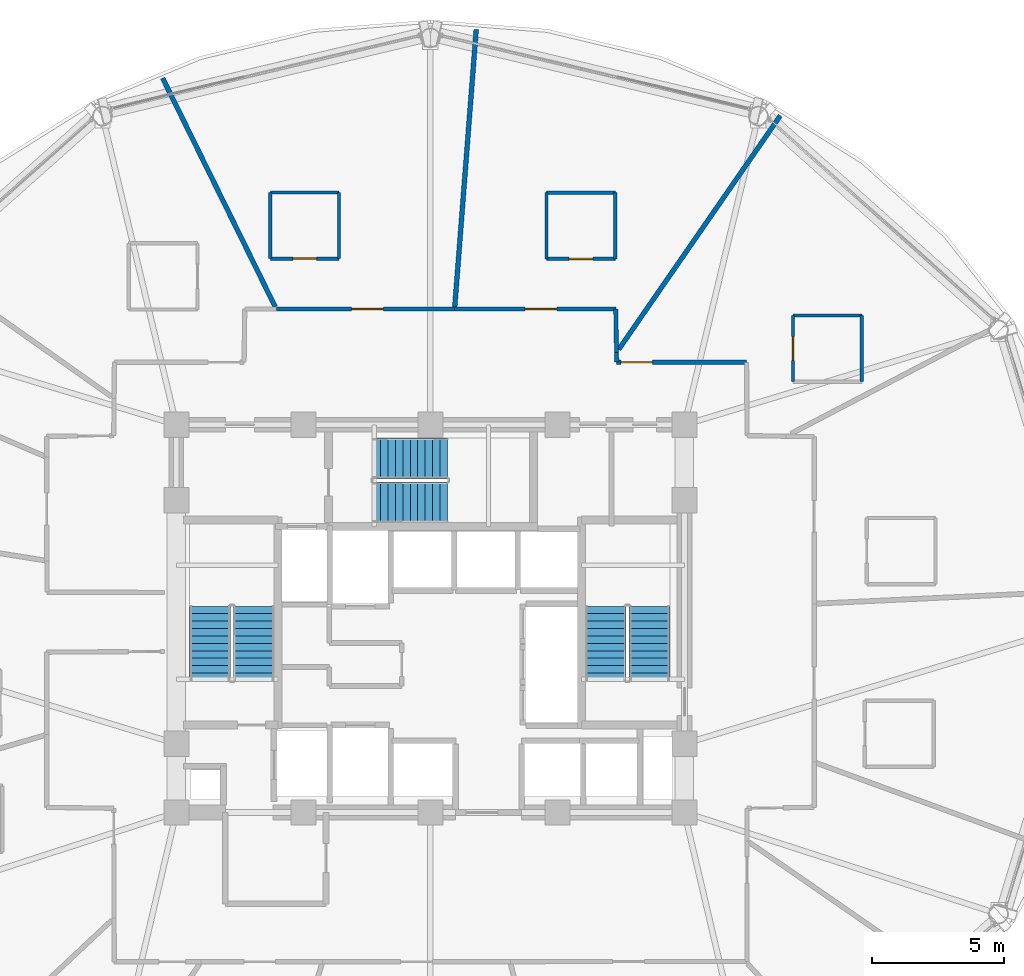
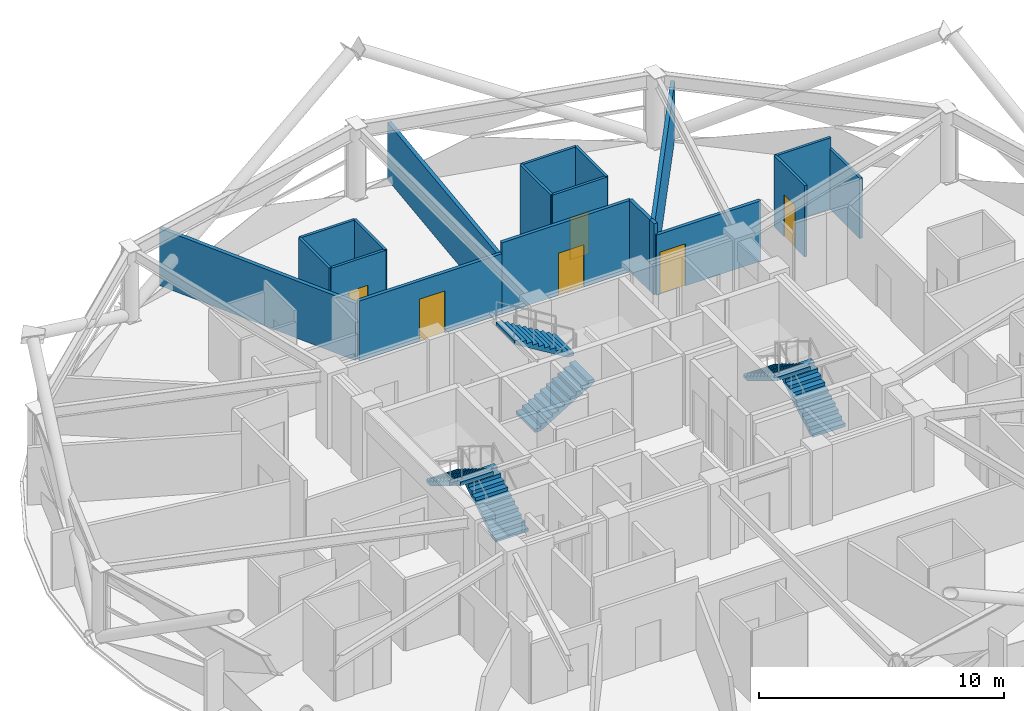
# One storey, part 25 of 29: 19 walls, 6 doors, 6 stair flights, 6 openings, 3 elements without a shape of their own.
"""IFC4 building model written with IfcOpenShell, lengths in metres."""

from ifc_helpers import new_model, si_unit, direction, frame, frame_2d, origin, place, context, subcontext, project, spatial, polyline, rectangle, outline, extrude, material, layer, layer_set, type_object, element, fill, aggregate, save


model = new_model("IFC4")

# Units and contexts
model_context = context("Model", 3, precision=1e-05, world=origin(), true_north=direction((0.0, 1.0)))
body_context = subcontext(model_context, "Body", "Model", "MODEL_VIEW")
ifc_project = project(units=[si_unit("LENGTHUNIT", "METRE"), si_unit("AREAUNIT", "SQUARE_METRE"), si_unit("VOLUMEUNIT", "CUBIC_METRE"), si_unit("PLANEANGLEUNIT", "RADIAN"), si_unit("MASSUNIT", "GRAM", prefix="KILO")], contexts=[model_context])

# Site, building, storey
site_placement = place(None, origin())
site = spatial("IfcSite", under=ifc_project, at=site_placement, CompositionType="ELEMENT")
building_placement = place(site_placement, origin())
building = spatial("IfcBuilding", under=site, at=building_placement, Name="Vantalir Tower", CompositionType="ELEMENT")
storey_placement = place(building_placement, frame((0.0, 0.0, 149.699951171875)))
storey = spatial("IfcBuildingStorey", under=building, at=storey_placement, Name="L37", CompositionType="ELEMENT", Elevation=149.699951171875)

# Wall
ifc_material_1 = material(Name="Moisture-resistant en-suite partition", Category="gypsum")
ifc_layer_1 = layer(ifc_material_1, 0.125)
ifc_layer_set_1 = layer_set([ifc_layer_1], Name="Moisture-resistant en-suite partition")
wall_type_1 = type_object("IfcWallType", Name="WL-BATH-125", PredefinedType="PARTITIONING", material=ifc_layer_set_1)
wall_1_placement = place(storey_placement, frame((45.198974609375, 36.580078125, 0.0), z_axis=(0.0, 0.0, 1.0), x_axis=(1.0, 0.0, 0.0)))
element("IfcWall", 1, at=wall_1_placement, inside=storey, type_object=wall_type_1, Name="L37 En-suite 02 North Wall", PredefinedType="PARTITIONING", context=body_context, shape_type="SweptSolid", body=[
    extrude(rectangle(XDim=2.60009765625, YDim=0.125, at=frame_2d((1.300048828125, 0.0))), origin(), (0.0, 0.0, 1.0), 3.550048828125),
])

# Wall, opening, door
wall_2_placement = place(storey_placement, frame((45.198974609375, 34.080078125, 0.0), z_axis=(0.0, 0.0, 1.0), x_axis=(0.0, 1.0, 0.0)))
wall_2 = element("IfcWall", 2, at=wall_2_placement, inside=storey, type_object=wall_type_1, Name="L37 En-suite 02 West Wall", PredefinedType="PARTITIONING", context=body_context, shape_type="SweptSolid", body=[
    extrude(rectangle(XDim=2.5, YDim=0.125, at=frame_2d((1.25, 0.0))), origin(), (0.0, 0.0, 1.0), 3.550048828125),
])
opening_1_placement = place(wall_2_placement, frame((0.800048828125, 0.0, 0.0)))
opening_1 = element("IfcOpeningElement", 3, at=opening_1_placement, cuts=wall_2, Name="Opening D-WC", PredefinedType="OPENING", context=body_context, shape_type="SweptSolid", body=[
    extrude(rectangle(XDim=0.89990234375, YDim=2.10009765625, at=frame_2d((0.449951171875, 1.050048828125))), frame((0.0, 0.072509765625, 0.0), z_axis=(0.0, -1.0, 0.0), x_axis=(1.0, 0.0, 0.0)), (0.0, 0.0, 1.0), 0.14501953125),
])
ifc_material_2 = material(Name="Moisture-resistant hardwood door", Category="wood")
door_type_1 = type_object("IfcDoorType", Name="DR-ENSUITE-900", OperationType="NOTDEFINED", PredefinedType="DOOR", material=ifc_material_2)
door_1_placement = place(opening_1_placement, frame((0.89990234375, 0.0, 0.0), z_axis=(0.0, 0.0, 1.0), x_axis=(-1.0, 0.0, 0.0)))
door_1 = element("IfcDoor", 4, at=door_1_placement, inside=storey, type_object=door_type_1, Name="L37 En-suite 02 Door", OperationType="SINGLE_SWING_RIGHT", OverallHeight=2.10009765625, OverallWidth=0.89990234375, PredefinedType="DOOR", context=body_context, shape_type="SweptSolid", body=[
    extrude(rectangle(XDim=0.89990234375, YDim=2.10009765625, at=frame_2d((0.449951171875, 1.050048828125))), frame((0.0, 0.02490234375, 0.0), z_axis=(0.0, -1.0, 0.0), x_axis=(1.0, 0.0, 0.0)), (0.0, 0.0, 1.0), 0.050048828125),
])
fill(opening_1, door_1)

# Wall
wall_3_placement = place(storey_placement, frame((47.799072265625, 34.080078125, 0.0), z_axis=(0.0, 0.0, 1.0), x_axis=(0.0, 1.0, 0.0)))
element("IfcWall", 5, at=wall_3_placement, inside=storey, type_object=wall_type_1, Name="L37 En-suite 02 East Wall", PredefinedType="PARTITIONING", context=body_context, shape_type="SweptSolid", body=[
    extrude(rectangle(XDim=2.5, YDim=0.125, at=frame_2d((1.25, 0.0))), origin(), (0.0, 0.0, 1.0), 3.006103515625),
])

# Wall, opening, door
wall_4_placement = place(storey_placement, frame((35.888916015625, 38.718994140625, 0.0), z_axis=(0.0, 0.0, 1.0), x_axis=(1.0, 0.0, 0.0)))
wall_4 = element("IfcWall", 6, at=wall_4_placement, inside=storey, type_object=wall_type_1, Name="L37 En-suite 03 South Wall", PredefinedType="PARTITIONING", context=body_context, shape_type="SweptSolid", body=[
    extrude(rectangle(XDim=2.60009765625, YDim=0.125, at=frame_2d((1.300048828125, 0.0))), origin(), (0.0, 0.0, 1.0), 3.550048828125),
])
opening_2_placement = place(wall_4_placement, frame((0.85009765625, 0.0, 0.0)))
opening_2 = element("IfcOpeningElement", 7, at=opening_2_placement, cuts=wall_4, Name="Opening D-WC", PredefinedType="OPENING", context=body_context, shape_type="SweptSolid", body=[
    extrude(rectangle(XDim=0.89990234375, YDim=2.10009765625, at=frame_2d((0.449951171875, 1.050048828125))), frame((0.0, 0.072509765625, 0.0), z_axis=(0.0, -1.0, 0.0), x_axis=(1.0, 0.0, 0.0)), (0.0, 0.0, 1.0), 0.14501953125),
])
door_2_placement = place(opening_2_placement, origin())
door_2 = element("IfcDoor", 8, at=door_2_placement, inside=storey, type_object=door_type_1, Name="L37 En-suite 03 Door", OperationType="SINGLE_SWING_LEFT", OverallHeight=2.10009765625, OverallWidth=0.89990234375, PredefinedType="DOOR", context=body_context, shape_type="SweptSolid", body=[
    extrude(rectangle(XDim=0.89990234375, YDim=2.10009765625, at=frame_2d((0.449951171875, 1.050048828125))), frame((0.0, 0.02490234375, 0.0), z_axis=(0.0, -1.0, 0.0), x_axis=(1.0, 0.0, 0.0)), (0.0, 0.0, 1.0), 0.050048828125),
])
fill(opening_2, door_2)

# Walls
wall_5_placement = place(storey_placement, frame((35.888916015625, 41.218994140625, 0.0), z_axis=(0.0, 0.0, 1.0), x_axis=(1.0, 0.0, 0.0)))
element("IfcWall", 9, at=wall_5_placement, inside=storey, type_object=wall_type_1, Name="L37 En-suite 03 North Wall", PredefinedType="PARTITIONING", context=body_context, shape_type="SweptSolid", body=[
    extrude(rectangle(XDim=2.60009765625, YDim=0.125, at=frame_2d((1.300048828125, 0.0))), origin(), (0.0, 0.0, 1.0), 3.550048828125),
])
for number, where, z_axis, x_axis, name in (
    (10, (35.888916015625, 38.718994140625, 0.0), (0.0, 0.0, 1.0), (0.0, 1.0, 0.0), "L37 En-suite 03 West Wall"),
    (11, (38.489013671875, 38.718994140625, 0.0), (0.0, 0.0, 1.0), (0.0, 1.0, 0.0), "L37 En-suite 03 East Wall"),
):
    element("IfcWall", number, at=place(storey_placement, frame(where, z_axis=z_axis, x_axis=x_axis)), inside=storey, type_object=wall_type_1, Name=name, PredefinedType="PARTITIONING", context=body_context, shape_type="SweptSolid", body=[
        extrude(rectangle(XDim=2.5, YDim=0.125, at=frame_2d((1.25, 0.0))), origin(), (0.0, 0.0, 1.0), 3.550048828125),
    ])

# Wall, opening, door
wall_6_placement = place(storey_placement, frame((25.448974609375, 38.72705078125, 0.0), z_axis=(0.0, 0.0, 1.0), x_axis=(1.0, 0.0, 0.0)))
wall_6 = element("IfcWall", 12, at=wall_6_placement, inside=storey, type_object=wall_type_1, Name="L37 En-suite 04 South Wall", PredefinedType="PARTITIONING", context=body_context, shape_type="SweptSolid", body=[
    extrude(rectangle(XDim=2.60009765625, YDim=0.125, at=frame_2d((1.300048828125, 0.0))), origin(), (0.0, 0.0, 1.0), 3.550048828125),
])
opening_3_placement = place(wall_6_placement, frame((0.85009765625, 0.0, 0.0)))
opening_3 = element("IfcOpeningElement", 13, at=opening_3_placement, cuts=wall_6, Name="Opening D-WC", PredefinedType="OPENING", context=body_context, shape_type="SweptSolid", body=[
    extrude(rectangle(XDim=0.89990234375, YDim=2.10009765625, at=frame_2d((0.449951171875, 1.050048828125))), frame((0.0, 0.072509765625, 0.0), z_axis=(0.0, -1.0, 0.0), x_axis=(1.0, 0.0, 0.0)), (0.0, 0.0, 1.0), 0.14501953125),
])
door_3_placement = place(opening_3_placement, origin())
door_3 = element("IfcDoor", 14, at=door_3_placement, inside=storey, type_object=door_type_1, Name="L37 En-suite 04 Door", OperationType="SINGLE_SWING_RIGHT", OverallHeight=2.10009765625, OverallWidth=0.89990234375, PredefinedType="DOOR", context=body_context, shape_type="SweptSolid", body=[
    extrude(rectangle(XDim=0.89990234375, YDim=2.10009765625, at=frame_2d((0.449951171875, 1.050048828125))), frame((0.0, 0.02490234375, 0.0), z_axis=(0.0, -1.0, 0.0), x_axis=(1.0, 0.0, 0.0)), (0.0, 0.0, 1.0), 0.050048828125),
])
fill(opening_3, door_3)

# Walls
wall_7_placement = place(storey_placement, frame((25.448974609375, 41.22705078125, 0.0), z_axis=(0.0, 0.0, 1.0), x_axis=(1.0, 0.0, 0.0)))
element("IfcWall", 15, at=wall_7_placement, inside=storey, type_object=wall_type_1, Name="L37 En-suite 04 North Wall", PredefinedType="PARTITIONING", context=body_context, shape_type="SweptSolid", body=[
    extrude(rectangle(XDim=2.60009765625, YDim=0.125, at=frame_2d((1.300048828125, 0.0))), origin(), (0.0, 0.0, 1.0), 3.550048828125),
])
for number, where, z_axis, x_axis, name in (
    (16, (25.448974609375, 38.72705078125, 0.0), (0.0, 0.0, 1.0), (0.0, 1.0, 0.0), "L37 En-suite 04 West Wall"),
    (17, (28.049072265625, 38.72705078125, 0.0), (0.0, 0.0, 1.0), (0.0, 1.0, 0.0), "L37 En-suite 04 East Wall"),
):
    element("IfcWall", number, at=place(storey_placement, frame(where, z_axis=z_axis, x_axis=x_axis)), inside=storey, type_object=wall_type_1, Name=name, PredefinedType="PARTITIONING", context=body_context, shape_type="SweptSolid", body=[
        extrude(rectangle(XDim=2.5, YDim=0.125, at=frame_2d((1.25, 0.0))), origin(), (0.0, 0.0, 1.0), 3.550048828125),
    ])

# Wall, opening, door
ifc_material_3 = material(Name="Fire-rated hotel corridor acoustic partition", Category="gypsum")
ifc_layer_2 = layer(ifc_material_3, 0.159912109375)
ifc_layer_set_2 = layer_set([ifc_layer_2], Name="Fire-rated hotel corridor acoustic partition")
wall_type_2 = type_object("IfcWallType", Name="WL-CORR-160", PredefinedType="PARTITIONING", material=ifc_layer_set_2)
wall_8_placement = place(storey_placement, frame((25.677978515625, 36.824951171875, 0.0), z_axis=(0.0, 0.0, 1.0), x_axis=(0.999999989491, 0.000144974809, 0.0)))
wall_8 = element("IfcWall", 18, at=wall_8_placement, inside=storey, type_object=wall_type_2, Name="L37 Corridor Partition 11", PredefinedType="PARTITIONING", context=body_context, shape_type="SweptSolid", body=[
    extrude(rectangle(XDim=6.736083984375, YDim=0.159912109375, at=frame_2d((3.3681640625, 0.0))), origin(), (0.0, 0.0, 1.0), 3.006103515625),
])
opening_4_placement = place(wall_8_placement, frame((2.843017578125, 0.0, 0.0)))
opening_4 = element("IfcOpeningElement", 19, at=opening_4_placement, cuts=wall_8, Name="Opening D-STE", PredefinedType="OPENING", context=body_context, shape_type="SweptSolid", body=[
    extrude(rectangle(XDim=1.199951171875, YDim=2.10009765625, at=frame_2d((0.60009765625, 1.050048828125))), frame((0.0, 0.08984375, 0.0), z_axis=(0.0, -1.0, 0.0), x_axis=(1.0, 0.0, 0.0)), (0.0, 0.0, 1.0), 0.179931640625),
])
ifc_material_4 = material(Name="Solid-core teak veneer suite entrance door", Category="wood")
door_type_2 = type_object("IfcDoorType", Name="DR-SUITE-ENTRY-1200", OperationType="NOTDEFINED", PredefinedType="DOOR", material=ifc_material_4)
door_4_placement = place(opening_4_placement, origin())
door_4 = element("IfcDoor", 20, at=door_4_placement, inside=storey, type_object=door_type_2, Name="L37 Executive Club Hotel Suite 04 Door", OperationType="SINGLE_SWING_LEFT", OverallHeight=2.10009765625, OverallWidth=1.199951171875, PredefinedType="DOOR", context=body_context, shape_type="SweptSolid", body=[
    extrude(rectangle(XDim=1.199951171875, YDim=2.10009765625, at=frame_2d((0.60009765625, 1.050048828125))), frame((0.0, 0.02490234375, 0.0), z_axis=(0.0, -1.0, 0.0), x_axis=(1.0, 0.0, 0.0)), (0.0, 0.0, 1.0), 0.050048828125),
])
fill(opening_4, door_4)

wall_9_placement = place(storey_placement, frame((32.4140625, 36.825927734375, 0.0), z_axis=(0.0, 0.0, 1.0), x_axis=(0.999999987142, 0.000160359203, 0.0)))
wall_9 = element("IfcWall", 21, at=wall_9_placement, inside=storey, type_object=wall_type_2, Name="L37 Corridor Partition 12", PredefinedType="PARTITIONING", context=body_context, shape_type="SweptSolid", body=[
    extrude(rectangle(XDim=6.08984375, YDim=0.159912109375, at=frame_2d((3.044921875, 0.0))), origin(), (0.0, 0.0, 1.0), 3.550048828125),
])
opening_5_placement = place(wall_9_placement, frame((2.666015625, 0.0, 0.0)))
opening_5 = element("IfcOpeningElement", 22, at=opening_5_placement, cuts=wall_9, Name="Opening D-STE", PredefinedType="OPENING", context=body_context, shape_type="SweptSolid", body=[
    extrude(rectangle(XDim=1.199951171875, YDim=2.10009765625, at=frame_2d((0.60009765625, 1.050048828125))), frame((0.0, 0.08984375, 0.0), z_axis=(0.0, -1.0, 0.0), x_axis=(1.0, 0.0, 0.0)), (0.0, 0.0, 1.0), 0.179931640625),
])
door_5_placement = place(opening_5_placement, origin())
door_5 = element("IfcDoor", 23, at=door_5_placement, inside=storey, type_object=door_type_2, Name="L37 Corner Panorama Hotel Suite 03 Door", OperationType="SINGLE_SWING_RIGHT", OverallHeight=2.10009765625, OverallWidth=1.199951171875, PredefinedType="DOOR", context=body_context, shape_type="SweptSolid", body=[
    extrude(rectangle(XDim=1.199951171875, YDim=2.10009765625, at=frame_2d((0.60009765625, 1.050048828125))), frame((0.0, 0.02490234375, 0.0), z_axis=(0.0, -1.0, 0.0), x_axis=(1.0, 0.0, 0.0)), (0.0, 0.0, 1.0), 0.050048828125),
])
fill(opening_5, door_5)

# Walls
wall_10_placement = place(storey_placement, frame((38.50390625, 36.826904296875, 0.0), z_axis=(0.0, 0.0, 1.0), x_axis=(0.017616454452, -0.999844818226, 0.0)))
element("IfcWall", 24, at=wall_10_placement, inside=storey, type_object=wall_type_2, Name="L37 Corridor Partition 13", PredefinedType="PARTITIONING", context=body_context, shape_type="SweptSolid", body=[
    extrude(rectangle(XDim=1.649169921875, YDim=0.159912109375, at=frame_2d((0.82470703125, 0.0))), origin(), (0.0, 0.0, 1.0), 3.550048828125),
])
wall_11_placement = place(storey_placement, frame((38.532958984375, 35.177978515625, 0.0), z_axis=(0.0, 0.0, 1.0), x_axis=(0.01949864601, -0.99980988333, 0.0)))
element("IfcWall", 25, at=wall_11_placement, inside=storey, type_object=wall_type_2, Name="L37 Corridor Partition 14", PredefinedType="PARTITIONING", context=body_context, shape_type="SweptSolid", body=[
    extrude(rectangle(XDim=0.363037109375, YDim=0.159912109375, at=frame_2d((0.181640625, 0.0))), origin(), (0.0, 0.0, 1.0), 3.550048828125),
])

# Wall, opening, door
wall_12_placement = place(storey_placement, frame((38.5400390625, 34.81494140625, 0.0), z_axis=(0.0, 0.0, 1.0), x_axis=(0.999999029632, -0.001393102783, 0.0)))
wall_12 = element("IfcWall", 26, at=wall_12_placement, inside=storey, type_object=wall_type_2, Name="L37 Corridor Partition 15", PredefinedType="PARTITIONING", context=body_context, shape_type="SweptSolid", body=[
    extrude(rectangle(XDim=4.906982421875, YDim=0.159912109375, at=frame_2d((2.45361328125, 0.0))), origin(), (0.0, 0.0, 1.0), 3.006103515625),
])
opening_6_placement = place(wall_12_placement, frame((0.159912109375, 0.0, 0.0)))
opening_6 = element("IfcOpeningElement", 27, at=opening_6_placement, cuts=wall_12, Name="Opening D-STE", PredefinedType="OPENING", context=body_context, shape_type="SweptSolid", body=[
    extrude(rectangle(XDim=1.199951171875, YDim=2.10009765625, at=frame_2d((0.60009765625, 1.050048828125))), frame((0.0, 0.08984375, 0.0), z_axis=(0.0, -1.0, 0.0), x_axis=(1.0, 0.0, 0.0)), (0.0, 0.0, 1.0), 0.179931640625),
])
door_6_placement = place(opening_6_placement, origin())
door_6 = element("IfcDoor", 28, at=door_6_placement, inside=storey, type_object=door_type_2, Name="L37 Executive Club Hotel Suite 02 Door", OperationType="SINGLE_SWING_LEFT", OverallHeight=2.10009765625, OverallWidth=1.199951171875, PredefinedType="DOOR", context=body_context, shape_type="SweptSolid", body=[
    extrude(rectangle(XDim=1.199951171875, YDim=2.10009765625, at=frame_2d((0.60009765625, 1.050048828125))), frame((0.0, 0.02490234375, 0.0), z_axis=(0.0, -1.0, 0.0), x_axis=(1.0, 0.0, 0.0)), (0.0, 0.0, 1.0), 0.050048828125),
])
fill(opening_6, door_6)

# Walls
ifc_material_5 = material(Name="Twin-stud acoustic fire-rated gypsum partition", Category="gypsum")
ifc_layer_3 = layer(ifc_material_5, 0.179931640625)
ifc_layer_set_3 = layer_set([ifc_layer_3], Name="Twin-stud acoustic fire-rated gypsum partition")
wall_type_3 = type_object("IfcWallType", Name="WL-GUEST-180", PredefinedType="PARTITIONING", material=ifc_layer_set_3)
wall_13_placement = place(storey_placement, frame((38.614990234375, 35.2958984375, 0.0), z_axis=(0.0, 0.0, 1.0), x_axis=(0.568530950042, 0.822661873946, 0.0)))
element("IfcWall", 29, at=wall_13_placement, inside=storey, type_object=wall_type_3, Name="L37 Radial Suite Partition 03", PredefinedType="PARTITIONING", context=body_context, shape_type="SweptSolid", body=[
    extrude(rectangle(XDim=10.734619140625, YDim=0.179931640625, at=frame_2d((5.3671875, 0.0))), origin(), (0.0, 0.0, 1.0), 2.85205078125),
])
wall_14_placement = place(storey_placement, frame((32.419921875, 36.902099609375, 0.0), z_axis=(0.0, 0.0, 1.0), x_axis=(0.077151140833, 0.997019408772, 0.0)))
element("IfcWall", 30, at=wall_14_placement, inside=storey, type_object=wall_type_3, Name="L37 Radial Suite Partition 04", PredefinedType="PARTITIONING", context=body_context, shape_type="SweptSolid", body=[
    extrude(rectangle(XDim=10.51220703125, YDim=0.179931640625, at=frame_2d((5.256103515625, 0.0))), origin(), (0.0, 0.0, 1.0), 2.85205078125),
])
wall_15_placement = place(storey_placement, frame((25.638916015625, 36.902099609375, 0.0), z_axis=(0.0, 0.0, 1.0), x_axis=(-0.44167900267, 0.897173148617, 0.0)))
element("IfcWall", 31, at=wall_15_placement, inside=storey, type_object=wall_type_3, Name="L37 Radial Suite Partition 05", PredefinedType="PARTITIONING", context=body_context, shape_type="SweptSolid", body=[
    extrude(rectangle(XDim=9.631103515625, YDim=0.179931640625, at=frame_2d((4.8154296875, 0.0))), origin(), (0.0, 0.0, 1.0), 2.85205078125),
])

# Stair, stair flights
ifc_material_6 = material(Name="Concrete C40/50", Category="concrete")
stair_type = type_object("IfcStairType", Name="STR-CORE-1450", PredefinedType="HALF_TURN_STAIR", material=ifc_material_6)
stair_1_placement = place(storey_placement, origin())
stair_1 = element("IfcStair", 32, at=stair_1_placement, inside=storey, type_object=stair_type, Name="L37 Core Exit Stair 1", PredefinedType="HALF_TURN_STAIR")
stair_flight_type = type_object("IfcStairFlightType", Name="FLT-CORE-1450", PredefinedType="STRAIGHT", material=ifc_material_6)
stair_flight_1_placement = place(storey_placement, frame((24.830078125, 22.7900390625, 0.0), z_axis=(0.0, 0.0, 1.0), x_axis=(0.0, 1.0, 0.0)))
stair_flight_1 = element("IfcStairFlight", 33, at=stair_flight_1_placement, type_object=stair_flight_type, Name="ST1 flight 1", NumberOfRisers=11, NumberOfTreads=10, PredefinedType="STRAIGHT", RiserHeight=0.170454545, TreadLength=0.28, context=body_context, shape_type="SweptSolid", body=[
    extrude(outline(polyline([(0.0, 0.0), (0.0, 0.17041015625), (0.280029296875, 0.17041015625), (0.280029296875, 0.3408203125), (0.56005859375, 0.3408203125), (0.56005859375, 0.511474609375), (0.840087890625, 0.511474609375), (0.840087890625, 0.681884765625), (1.1201171875, 0.681884765625), (1.1201171875, 0.852294921875), (1.39990234375, 0.852294921875), (1.39990234375, 1.022705078125), (1.679931640625, 1.022705078125), (1.679931640625, 1.193115234375), (1.9599609375, 1.193115234375), (1.9599609375, 1.363525390625), (2.239990234375, 1.363525390625), (2.239990234375, 1.5341796875), (2.52001953125, 1.5341796875), (2.52001953125, 1.70458984375), (2.800048828125, 1.70458984375), (2.800048828125, 1.875), (2.800048828125, 1.529052734375), (0.288330078125, 0.0), (0.0, 0.0)])), frame((0.0, 0.77001953125, 0.0), z_axis=(0.0, -1.0, 0.0), x_axis=(1.0, 0.0, 0.0)), (0.0, 0.0, 1.0), 1.5400390625),
])
stair_flight_2_placement = place(storey_placement, frame((23.169921875, 25.590087890625, 1.875), z_axis=(0.0, 0.0, 1.0), x_axis=(0.0, -1.0, 0.0)))
stair_flight_2 = element("IfcStairFlight", 34, at=stair_flight_2_placement, type_object=stair_flight_type, Name="ST1 flight 2", NumberOfRisers=11, NumberOfTreads=10, PredefinedType="STRAIGHT", RiserHeight=0.170454545, TreadLength=0.28, context=body_context, shape_type="SweptSolid", body=[
    extrude(outline(polyline([(0.0, 0.0), (0.0, 0.17041015625), (0.280029296875, 0.17041015625), (0.280029296875, 0.3408203125), (0.56005859375, 0.3408203125), (0.56005859375, 0.511474609375), (0.840087890625, 0.511474609375), (0.840087890625, 0.681884765625), (1.1201171875, 0.681884765625), (1.1201171875, 0.852294921875), (1.39990234375, 0.852294921875), (1.39990234375, 1.022705078125), (1.679931640625, 1.022705078125), (1.679931640625, 1.193115234375), (1.9599609375, 1.193115234375), (1.9599609375, 1.363525390625), (2.239990234375, 1.363525390625), (2.239990234375, 1.5341796875), (2.52001953125, 1.5341796875), (2.52001953125, 1.70458984375), (2.800048828125, 1.70458984375), (2.800048828125, 1.875), (2.800048828125, 1.529052734375), (0.288330078125, 0.0), (0.0, 0.0)])), frame((0.0, 0.77001953125, 0.0), z_axis=(0.0, -1.0, 0.0), x_axis=(1.0, 0.0, 0.0)), (0.0, 0.0, 1.0), 1.5400390625),
])
aggregate(stair_1, [stair_flight_1, stair_flight_2])

stair_2_placement = place(storey_placement, origin())
stair_2 = element("IfcStair", 35, at=stair_2_placement, inside=storey, type_object=stair_type, Name="L37 Core Exit Stair 2", PredefinedType="HALF_TURN_STAIR")
stair_flight_3_placement = place(storey_placement, frame((39.780029296875, 22.7900390625, 0.0), z_axis=(0.0, 0.0, 1.0), x_axis=(0.0, 1.0, 0.0)))
stair_flight_3 = element("IfcStairFlight", 36, at=stair_flight_3_placement, type_object=stair_flight_type, Name="ST2 flight 1", NumberOfRisers=11, NumberOfTreads=10, PredefinedType="STRAIGHT", RiserHeight=0.170454545, TreadLength=0.28, context=body_context, shape_type="SweptSolid", body=[
    extrude(outline(polyline([(0.0, 0.0), (0.0, 0.17041015625), (0.280029296875, 0.17041015625), (0.280029296875, 0.3408203125), (0.56005859375, 0.3408203125), (0.56005859375, 0.511474609375), (0.840087890625, 0.511474609375), (0.840087890625, 0.681884765625), (1.1201171875, 0.681884765625), (1.1201171875, 0.852294921875), (1.39990234375, 0.852294921875), (1.39990234375, 1.022705078125), (1.679931640625, 1.022705078125), (1.679931640625, 1.193115234375), (1.9599609375, 1.193115234375), (1.9599609375, 1.363525390625), (2.239990234375, 1.363525390625), (2.239990234375, 1.5341796875), (2.52001953125, 1.5341796875), (2.52001953125, 1.70458984375), (2.800048828125, 1.70458984375), (2.800048828125, 1.875), (2.800048828125, 1.529052734375), (0.288330078125, 0.0), (0.0, 0.0)])), frame((0.0, 0.77001953125, 0.0), z_axis=(0.0, -1.0, 0.0), x_axis=(1.0, 0.0, 0.0)), (0.0, 0.0, 1.0), 1.5400390625),
])
stair_flight_4_placement = place(storey_placement, frame((38.1201171875, 25.590087890625, 1.875), z_axis=(0.0, 0.0, 1.0), x_axis=(0.0, -1.0, 0.0)))
stair_flight_4 = element("IfcStairFlight", 37, at=stair_flight_4_placement, type_object=stair_flight_type, Name="ST2 flight 2", NumberOfRisers=11, NumberOfTreads=10, PredefinedType="STRAIGHT", RiserHeight=0.170454545, TreadLength=0.28, context=body_context, shape_type="SweptSolid", body=[
    extrude(outline(polyline([(0.0, 0.0), (0.0, 0.17041015625), (0.280029296875, 0.17041015625), (0.280029296875, 0.3408203125), (0.56005859375, 0.3408203125), (0.56005859375, 0.511474609375), (0.840087890625, 0.511474609375), (0.840087890625, 0.681884765625), (1.1201171875, 0.681884765625), (1.1201171875, 0.852294921875), (1.39990234375, 0.852294921875), (1.39990234375, 1.022705078125), (1.679931640625, 1.022705078125), (1.679931640625, 1.193115234375), (1.9599609375, 1.193115234375), (1.9599609375, 1.363525390625), (2.239990234375, 1.363525390625), (2.239990234375, 1.5341796875), (2.52001953125, 1.5341796875), (2.52001953125, 1.70458984375), (2.800048828125, 1.70458984375), (2.800048828125, 1.875), (2.800048828125, 1.529052734375), (0.288330078125, 0.0), (0.0, 0.0)])), frame((0.0, 0.77001953125, 0.0), z_axis=(0.0, -1.0, 0.0), x_axis=(1.0, 0.0, 0.0)), (0.0, 0.0, 1.0), 1.5400390625),
])
aggregate(stair_2, [stair_flight_3, stair_flight_4])

stair_3_placement = place(storey_placement, origin())
stair_3 = element("IfcStair", 38, at=stair_3_placement, inside=storey, type_object=stair_type, Name="L37 Core Exit Stair 3", PredefinedType="HALF_TURN_STAIR")
stair_flight_5_placement = place(storey_placement, frame((29.340087890625, 29.52001953125, 0.0), z_axis=(0.0, 0.0, 1.0), x_axis=(1.0, 0.0, 0.0)))
stair_flight_5 = element("IfcStairFlight", 39, at=stair_flight_5_placement, type_object=stair_flight_type, Name="ST3 flight 1", NumberOfRisers=11, NumberOfTreads=10, PredefinedType="STRAIGHT", RiserHeight=0.170454545, TreadLength=0.28, context=body_context, shape_type="SweptSolid", body=[
    extrude(outline(polyline([(0.0, 0.0), (0.0, 0.17041015625), (0.280029296875, 0.17041015625), (0.280029296875, 0.3408203125), (0.56005859375, 0.3408203125), (0.56005859375, 0.511474609375), (0.840087890625, 0.511474609375), (0.840087890625, 0.681884765625), (1.1201171875, 0.681884765625), (1.1201171875, 0.852294921875), (1.39990234375, 0.852294921875), (1.39990234375, 1.022705078125), (1.679931640625, 1.022705078125), (1.679931640625, 1.193115234375), (1.9599609375, 1.193115234375), (1.9599609375, 1.363525390625), (2.239990234375, 1.363525390625), (2.239990234375, 1.5341796875), (2.52001953125, 1.5341796875), (2.52001953125, 1.70458984375), (2.800048828125, 1.70458984375), (2.800048828125, 1.875), (2.800048828125, 1.529052734375), (0.288330078125, 0.0), (0.0, 0.0)])), frame((0.0, 0.77001953125, 0.0), z_axis=(0.0, -1.0, 0.0), x_axis=(1.0, 0.0, 0.0)), (0.0, 0.0, 1.0), 1.5400390625),
])
stair_flight_6_placement = place(storey_placement, frame((32.139892578125, 31.179931640625, 1.875), z_axis=(0.0, 0.0, 1.0), x_axis=(-1.0, 0.0, 0.0)))
stair_flight_6 = element("IfcStairFlight", 40, at=stair_flight_6_placement, type_object=stair_flight_type, Name="ST3 flight 2", NumberOfRisers=11, NumberOfTreads=10, PredefinedType="STRAIGHT", RiserHeight=0.170454545, TreadLength=0.28, context=body_context, shape_type="SweptSolid", body=[
    extrude(outline(polyline([(0.0, 0.0), (0.0, 0.17041015625), (0.280029296875, 0.17041015625), (0.280029296875, 0.3408203125), (0.56005859375, 0.3408203125), (0.56005859375, 0.511474609375), (0.840087890625, 0.511474609375), (0.840087890625, 0.681884765625), (1.1201171875, 0.681884765625), (1.1201171875, 0.852294921875), (1.39990234375, 0.852294921875), (1.39990234375, 1.022705078125), (1.679931640625, 1.022705078125), (1.679931640625, 1.193115234375), (1.9599609375, 1.193115234375), (1.9599609375, 1.363525390625), (2.239990234375, 1.363525390625), (2.239990234375, 1.5341796875), (2.52001953125, 1.5341796875), (2.52001953125, 1.70458984375), (2.800048828125, 1.70458984375), (2.800048828125, 1.875), (2.800048828125, 1.529052734375), (0.288330078125, 0.0), (0.0, 0.0)])), frame((0.0, 0.77001953125, 0.0), z_axis=(0.0, -1.0, 0.0), x_axis=(1.0, 0.0, 0.0)), (0.0, 0.0, 1.0), 1.5400390625),
])
aggregate(stair_3, [stair_flight_5, stair_flight_6])

save(model, "model.ifc")
